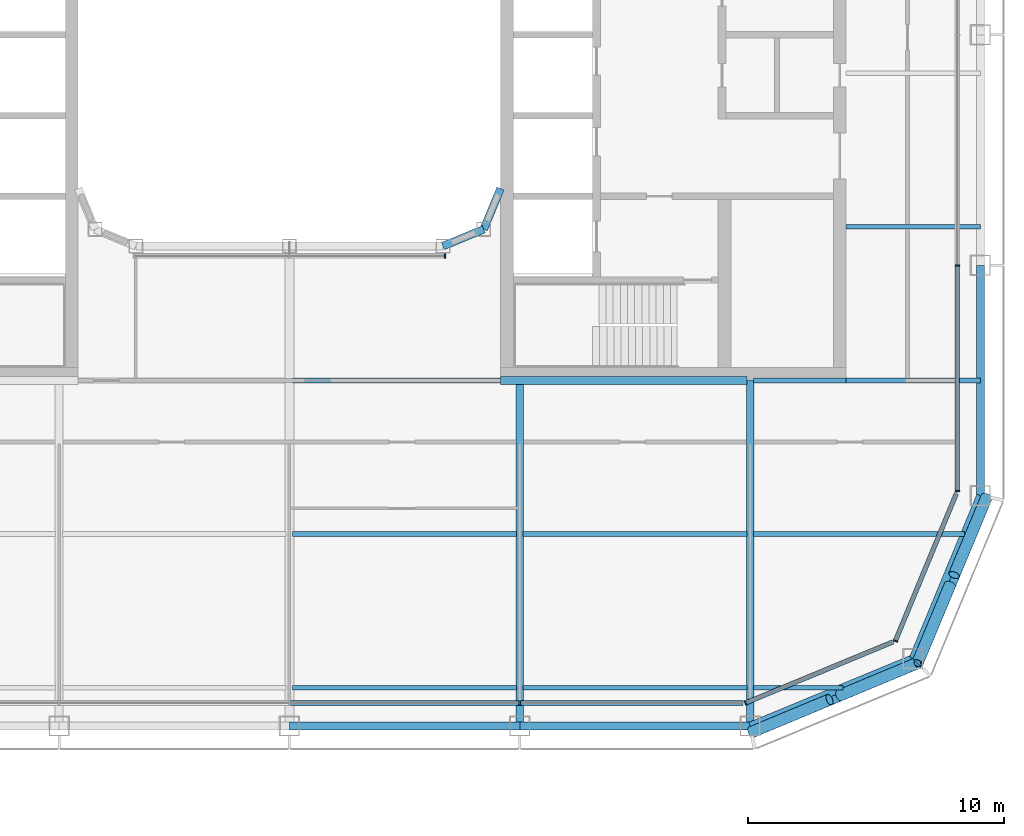
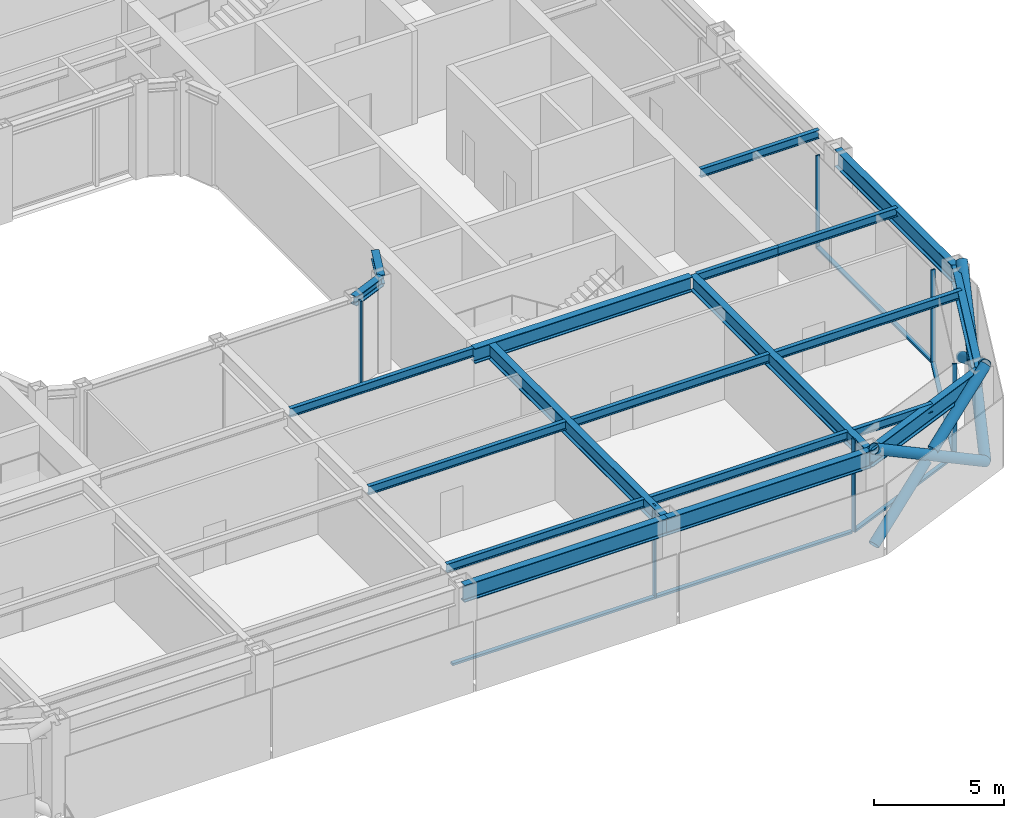
# One storey, part 4 of 23: 20 beams, 17 members, 5 elements without a shape of their own.
"""IFC4 building model written with IfcOpenShell, lengths in metres."""

from ifc_helpers import new_model, si_unit, direction, frame, origin, origin_2d, place, context, subcontext, project, spatial, rectangle, hollow_circle, i_section, extrude, material, layer, layer_set, material_profile, profile_set, type_object, element, aggregate, save


model = new_model("IFC4")

# Units and contexts
model_context = context("Model", 3, precision=1e-05, world=origin(), true_north=direction((0.0, 1.0)))
body_context = subcontext(model_context, "Body", "Model", "MODEL_VIEW")
ifc_project = project(units=[si_unit("LENGTHUNIT", "METRE"), si_unit("AREAUNIT", "SQUARE_METRE"), si_unit("VOLUMEUNIT", "CUBIC_METRE"), si_unit("PLANEANGLEUNIT", "RADIAN"), si_unit("MASSUNIT", "GRAM", prefix="KILO")], contexts=[model_context])

# Site, building, storey
site_placement = place(None, origin())
site = spatial("IfcSite", under=ifc_project, at=site_placement, CompositionType="ELEMENT")
building_placement = place(site_placement, origin())
building = spatial("IfcBuilding", under=site, at=building_placement, Name="Siwar Civic Tower", CompositionType="ELEMENT")
storey_placement = place(building_placement, frame((0.0, 0.0, 251.199951171875)))
storey = spatial("IfcBuildingStorey", under=building, at=storey_placement, Name="L54", CompositionType="ELEMENT", Elevation=251.199951171875)

# Curtain wall, member
ifc_material_1 = material(Name="Aluminium and glass", Category="aluminium")
ifc_layer_1 = layer(ifc_material_1, 0.179931640625)
ifc_layer_set_1 = layer_set([ifc_layer_1], Name="Aluminium and glass")
curtain_wall_type_1 = type_object("IfcCurtainWallType", Name="ENV-CW-C", PredefinedType="NOTDEFINED", material=ifc_layer_set_1)
curtain_wall_1_placement = place(storey_placement, origin())
curtain_wall_1 = element("IfcCurtainWall", 1, at=curtain_wall_1_placement, inside=storey, type_object=curtain_wall_type_1, Name="Curtain wall C S", PredefinedType="NOTDEFINED")
ifc_material_2 = material(Name="Aluminium 6063-T6", Category="aluminium")
ifc_material_profile_1 = material_profile(ifc_material_2, rectangle(XDim=0.179931640625, YDim=0.06005859375, at=origin_2d()), Name="AL 180x60")
ifc_profile_set_1 = profile_set([ifc_material_profile_1], Name="Aluminium 6063-T6")
member_type_1 = type_object("IfcMemberType", Name="ENV-MULLION-C", PredefinedType="MULLION", material=ifc_profile_set_1)
member_1_placement = place(storey_placement, frame((9.0, -26.10009765625, 0.0), z_axis=(0.0, 0.0, 1.0), x_axis=(0.0, 1.0, 0.0)))
member_1 = element("IfcMember", 2, at=member_1_placement, type_object=member_type_1, Name="Mullion C S 4", PredefinedType="MULLION", context=body_context, shape_type="SweptSolid", body=[
    extrude(rectangle(XDim=0.179931640625, YDim=0.06005859375, at=origin_2d()), origin(), (0.0, 0.0, 1.0), 4.35009765625),
])

ifc_material_3 = material(Name="Aluminium clad insulated panel", Category="aluminium")
ifc_layer_2 = layer(ifc_material_3, 0.179931640625)
ifc_layer_set_2 = layer_set([ifc_layer_2], Name="Aluminium clad insulated panel")
curtain_wall_type_2 = type_object("IfcCurtainWallType", Name="ENV-CW-CX", PredefinedType="NOTDEFINED", material=ifc_layer_set_2)
curtain_wall_2_placement = place(storey_placement, origin())
curtain_wall_2 = element("IfcCurtainWall", 3, at=curtain_wall_2_placement, inside=storey, type_object=curtain_wall_type_2, Name="Curtain wall C SE1", PredefinedType="NOTDEFINED")
member_2_placement = place(storey_placement, frame((17.821044921875, -26.10009765625, 0.0), z_axis=(0.0, 0.0, 1.0), x_axis=(-0.382683432365, 0.923879532511, 0.0)))
member_2 = element("IfcMember", 4, at=member_2_placement, type_object=member_type_1, Name="Mullion C SE1 1", PredefinedType="MULLION", context=body_context, shape_type="SweptSolid", body=[
    extrude(rectangle(XDim=0.179931640625, YDim=0.06005859375, at=origin_2d()), origin(), (0.0, 0.0, 1.0), 4.35009765625),
])

curtain_wall_3_placement = place(storey_placement, origin())
curtain_wall_3 = element("IfcCurtainWall", 5, at=curtain_wall_3_placement, inside=storey, type_object=curtain_wall_type_2, Name="Curtain wall C SE2", PredefinedType="NOTDEFINED")
member_3_placement = place(storey_placement, frame((23.675048828125, -23.675048828125, 0.0), z_axis=(0.0, 0.0, 1.0), x_axis=(-0.923879532511, 0.382683432365, 0.0)))
member_3 = element("IfcMember", 6, at=member_3_placement, type_object=member_type_1, Name="Mullion C SE2 1", PredefinedType="MULLION", context=body_context, shape_type="SweptSolid", body=[
    extrude(rectangle(XDim=0.179931640625, YDim=0.06005859375, at=origin_2d()), origin(), (0.0, 0.0, 1.0), 4.35009765625),
])

# Curtain wall, members
curtain_wall_4_placement = place(storey_placement, origin())
curtain_wall_4 = element("IfcCurtainWall", 7, at=curtain_wall_4_placement, inside=storey, type_object=curtain_wall_type_1, Name="Curtain wall C E", PredefinedType="NOTDEFINED")
member_4_placement = place(storey_placement, frame((26.10009765625, -17.821044921875, 0.0), z_axis=(0.0, 0.0, 1.0), x_axis=(-1.0, 0.0, 0.0)))
member_4 = element("IfcMember", 8, at=member_4_placement, type_object=member_type_1, Name="Mullion C E 1", PredefinedType="MULLION", context=body_context, shape_type="SweptSolid", body=[
    extrude(rectangle(XDim=0.179931640625, YDim=0.06005859375, at=origin_2d()), origin(), (0.0, 0.0, 1.0), 4.35009765625),
])
member_5_placement = place(storey_placement, frame((26.10009765625, -9.0, 0.0), z_axis=(0.0, 0.0, 1.0), x_axis=(-1.0, 0.0, 0.0)))
member_5 = element("IfcMember", 9, at=member_5_placement, type_object=member_type_1, Name="Mullion C E 2", PredefinedType="MULLION", context=body_context, shape_type="SweptSolid", body=[
    extrude(rectangle(XDim=0.179931640625, YDim=0.06005859375, at=origin_2d()), origin(), (0.0, 0.0, 1.0), 4.35009765625),
])

# Curtain wall, member
ifc_material_4 = material(Name="Aluminium and glass", Category="aluminium")
ifc_layer_3 = layer(ifc_material_4, 0.179931640625)
ifc_layer_set_3 = layer_set([ifc_layer_3], Name="Aluminium and glass")
curtain_wall_type_3 = type_object("IfcCurtainWallType", Name="ENV-CW-W", PredefinedType="NOTDEFINED", material=ifc_layer_set_3)
curtain_wall_5_placement = place(storey_placement, origin())
curtain_wall_5 = element("IfcCurtainWall", 10, at=curtain_wall_5_placement, inside=storey, type_object=curtain_wall_type_3, Name="Curtain wall W WS", PredefinedType="NOTDEFINED")
ifc_material_5 = material(Name="Aluminium 6063-T6", Category="aluminium")
ifc_material_profile_2 = material_profile(ifc_material_5, rectangle(XDim=0.179931640625, YDim=0.06005859375, at=origin_2d()), Name="AL 180x60")
ifc_profile_set_2 = profile_set([ifc_material_profile_2], Name="Aluminium 6063-T6")
member_type_2 = type_object("IfcMemberType", Name="ENV-MULLION-W", PredefinedType="MULLION", material=ifc_profile_set_2)
member_6_placement = place(storey_placement, frame((6.07666015625, -8.635009765625, 0.0), z_axis=(0.0, 0.0, 1.0), x_axis=(0.0, 1.0, 0.0)))
member_6 = element("IfcMember", 11, at=member_6_placement, type_object=member_type_2, Name="Mullion W WS 3", PredefinedType="MULLION", context=body_context, shape_type="SweptSolid", body=[
    extrude(rectangle(XDim=0.179931640625, YDim=0.06005859375, at=origin_2d()), origin(), (0.0, 0.0, 1.0), 4.35009765625),
])
aggregate(curtain_wall_5, [member_6])

# Member
ifc_material_6 = material(Name="Aluminium 6063-T6", Category="aluminium")
ifc_material_profile_3 = material_profile(ifc_material_6, rectangle(XDim=0.179931640625, YDim=0.10009765625, at=origin_2d()), Name="AL 180x100")
ifc_profile_set_3 = profile_set([ifc_material_profile_3], Name="Aluminium 6063-T6")
member_type_3 = type_object("IfcMemberType", Name="ENV-TRANSOM-C", PredefinedType="USERDEFINED", material=ifc_profile_set_3)
member_7_placement = place(storey_placement, frame((0.030029296875, -26.10009765625, 0.050048828125), z_axis=(1.0, 0.0, 0.0), x_axis=(0.0, 1.0, 0.0)))
member_7 = element("IfcMember", 12, at=member_7_placement, type_object=member_type_3, Name="Transom C S 3", ObjectType="TRANSOM", PredefinedType="USERDEFINED", context=body_context, shape_type="SweptSolid", body=[
    extrude(rectangle(XDim=0.179931640625, YDim=0.10009765625, at=origin_2d()), origin(), (0.0, 0.0, 1.0), 8.93994140625),
])

member_8_placement = place(storey_placement, frame((9.030029296875, -26.10009765625, 0.050048828125), z_axis=(1.0, 0.0, 0.0), x_axis=(0.0, 1.0, 0.0)))
member_8 = element("IfcMember", 13, at=member_8_placement, type_object=member_type_3, Name="Transom C S 4", ObjectType="TRANSOM", PredefinedType="USERDEFINED", context=body_context, shape_type="SweptSolid", body=[
    extrude(rectangle(XDim=0.179931640625, YDim=0.10009765625, at=origin_2d()), origin(), (0.0, 0.0, 1.0), 8.68603515625),
])

aggregate(curtain_wall_1, [member_1, member_7, member_8])

member_9_placement = place(storey_placement, frame((17.8486328125, -26.088623046875, 0.050048828125), z_axis=(0.923882011223, 0.38267744817, 0.0), x_axis=(-0.38267744817, 0.923882011223, 0.0)))
member_9 = element("IfcMember", 14, at=member_9_placement, type_object=member_type_3, Name="Transom C SE1 1", ObjectType="TRANSOM", PredefinedType="USERDEFINED", context=body_context, shape_type="SweptSolid", body=[
    extrude(rectangle(XDim=0.179931640625, YDim=0.10009765625, at=origin_2d()), origin(), (0.0, 0.0, 1.0), 6.201904296875),
])

aggregate(curtain_wall_2, [member_2, member_9])

member_10_placement = place(storey_placement, frame((23.6865234375, -23.6474609375, 0.050048828125), z_axis=(0.382691366456, 0.923876246063, 0.0), x_axis=(-0.923876246063, 0.382691366456, 0.0)))
member_10 = element("IfcMember", 15, at=member_10_placement, type_object=member_type_3, Name="Transom C SE2 1", ObjectType="TRANSOM", PredefinedType="USERDEFINED", context=body_context, shape_type="SweptSolid", body=[
    extrude(rectangle(XDim=0.179931640625, YDim=0.10009765625, at=origin_2d()), origin(), (0.0, 0.0, 1.0), 6.20166015625),
])

aggregate(curtain_wall_3, [member_3, member_10])

member_11_placement = place(storey_placement, frame((26.10009765625, -17.791015625, 0.050048828125), z_axis=(0.0, 1.0, 0.0), x_axis=(-1.0, 0.0, 0.0)))
member_11 = element("IfcMember", 16, at=member_11_placement, type_object=member_type_3, Name="Transom C E 1", ObjectType="TRANSOM", PredefinedType="USERDEFINED", context=body_context, shape_type="SweptSolid", body=[
    extrude(rectangle(XDim=0.179931640625, YDim=0.10009765625, at=origin_2d()), origin(), (0.0, 0.0, 1.0), 8.760986328125),
])

aggregate(curtain_wall_4, [member_4, member_5, member_11])

# Members
ifc_material_7 = material(Name="Steel S355", Category="steel")
ifc_material_profile_4 = material_profile(ifc_material_7, hollow_circle(Radius=0.228515625, WallThickness=0.02001953125, at=origin_2d()), Name="CHS457x20")
ifc_profile_set_4 = profile_set([ifc_material_profile_4], Name="Steel S355")
member_type_4 = type_object("IfcMemberType", Name="STR-BR-CHS457x20", PredefinedType="BRACE", material=ifc_profile_set_4)
member_12_placement = place(storey_placement, frame((24.540771484375, -24.540771484375, 0.0), z_axis=(0.323905527954, 0.777554562952, 0.538975055633), x_axis=(-0.923108759191, 0.384538969033, 0.0)))
element("IfcMember", 17, at=member_12_placement, inside=storey, type_object=member_type_4, Name="L54/brc/CSE1-14-0-1", PredefinedType="BRACE", context=body_context, shape_type="SweptSolid", body=[
    extrude(hollow_circle(Radius=0.228515625, WallThickness=0.02001953125, at=origin_2d()), origin(), (0.0, 0.0, 1.0), 8.34912109375),
])
for number, where, z_axis, x_axis, name in (
    (18, (27.2451171875, -18.048828125, 0.0), (-0.323884455881, -0.777546448489, 0.538999424564), (0.92311621485, -0.38452107079, 0.0), "L54/brc/CSE1-14-0-2"),
    (19, (25.81298828125, -21.486572265625, 2.383056640625), (-0.323895306243, -0.777572496853, 0.538955325357), (0.92311621485, -0.38452107079, 0.0), "L54/brc/CSE1-14-0-3"),
):
    element("IfcMember", number, at=place(storey_placement, frame(where, z_axis=z_axis, x_axis=x_axis)), inside=storey, type_object=member_type_4, Name=name, PredefinedType="BRACE", context=body_context, shape_type="SweptSolid", body=[
        extrude(hollow_circle(Radius=0.228515625, WallThickness=0.02001953125, at=origin_2d()), origin(), (0.0, 0.0, 1.0), 3.927978515625),
    ])
member_13_placement = place(storey_placement, frame((24.540771484375, -24.540771484375, 0.0), z_axis=(-0.777554562952, -0.323905527954, 0.538975055633), x_axis=(0.384538969033, -0.923108759191, 0.0)))
element("IfcMember", 20, at=member_13_placement, inside=storey, type_object=member_type_4, Name="L54/brc/CSE1-14-0-0", PredefinedType="BRACE", context=body_context, shape_type="SweptSolid", body=[
    extrude(hollow_circle(Radius=0.228515625, WallThickness=0.02001953125, at=origin_2d()), origin(), (0.0, 0.0, 1.0), 8.34912109375),
])
for number, where, z_axis, x_axis, name in (
    (21, (18.048828125, -27.2451171875, 0.0), (0.777546448489, 0.323884455881, 0.538999424564), (-0.38452107079, 0.92311621485, 0.0), "L54/brc/CSE1-14-0-4"),
    (22, (21.486572265625, -25.81298828125, 2.383056640625), (0.777572496853, 0.323895306243, 0.538955325357), (-0.38452107079, 0.92311621485, 0.0), "L54/brc/CSE1-14-0-5"),
):
    element("IfcMember", number, at=place(storey_placement, frame(where, z_axis=z_axis, x_axis=x_axis)), inside=storey, type_object=member_type_4, Name=name, PredefinedType="BRACE", context=body_context, shape_type="SweptSolid", body=[
        extrude(hollow_circle(Radius=0.228515625, WallThickness=0.02001953125, at=origin_2d()), origin(), (0.0, 0.0, 1.0), 3.927978515625),
    ])

# Beams
ifc_material_8 = material(Name="Steel S355", Category="steel")
ifc_material_profile_5 = material_profile(ifc_material_8, i_section(OverallWidth=0.179931640625, OverallDepth=0.39990234375, WebThickness=0.008544921875, FlangeThickness=0.013427734375, FilletRadius=0.02099609375, at=origin_2d()), Name="IPE400")
ifc_profile_set_5 = profile_set([ifc_material_profile_5], Name="Steel S355")
beam_type_1 = type_object("IfcBeamType", Name="STR-FB-IPE400", PredefinedType="JOIST", material=ifc_profile_set_5)
for number, where, z_axis, x_axis, name in (
    (23, (0.1298828125, -25.5, 4.150146484375), (1.0, 0.0, 0.0), (0.0, 1.0, 0.0), "L54/bm/F004"),
    (24, (9.1298828125, -25.5, 4.150146484375), (1.0, 0.0, 0.0), (0.0, 1.0, 0.0), "L54/bm/F005"),
):
    element("IfcBeam", number, at=place(storey_placement, frame(where, z_axis=z_axis, x_axis=x_axis)), inside=storey, type_object=beam_type_1, Name=name, PredefinedType="JOIST", context=body_context, shape_type="SweptSolid", body=[
        extrude(i_section(OverallWidth=0.179931640625, OverallDepth=0.39990234375, WebThickness=0.008544921875, FlangeThickness=0.013427734375, FilletRadius=0.02099609375, at=origin_2d()), origin(), (0.0, 0.0, 1.0), 8.740234375),
    ])
beam_1_placement = place(storey_placement, frame((18.1298828125, -25.5, 4.150146484375), z_axis=(1.0, 0.0, 0.0), x_axis=(0.0, 1.0, 0.0)))
element("IfcBeam", 25, at=beam_1_placement, inside=storey, type_object=beam_type_1, Name="L54/bm/F006", PredefinedType="JOIST", context=body_context, shape_type="SweptSolid", body=[
    extrude(i_section(OverallWidth=0.179931640625, OverallDepth=0.39990234375, WebThickness=0.008544921875, FlangeThickness=0.013427734375, FilletRadius=0.02099609375, at=origin_2d()), origin(), (0.0, 0.0, 1.0), 3.491455078125),
])
for number, where, z_axis, x_axis, name in (
    (26, (0.1298828125, -19.5, 4.150146484375), (1.0, 0.0, 0.0), (0.0, 1.0, 0.0), "L54/bm/F010"),
    (27, (9.1298828125, -19.5, 4.150146484375), (1.0, 0.0, 0.0), (0.0, 1.0, 0.0), "L54/bm/F011"),
):
    element("IfcBeam", number, at=place(storey_placement, frame(where, z_axis=z_axis, x_axis=x_axis)), inside=storey, type_object=beam_type_1, Name=name, PredefinedType="JOIST", context=body_context, shape_type="SweptSolid", body=[
        extrude(i_section(OverallWidth=0.179931640625, OverallDepth=0.39990234375, WebThickness=0.008544921875, FlangeThickness=0.013427734375, FilletRadius=0.02099609375, at=origin_2d()), origin(), (0.0, 0.0, 1.0), 8.740234375),
    ])
beam_2_placement = place(storey_placement, frame((18.1298828125, -19.5, 4.150146484375), z_axis=(1.0, 0.0, 0.0), x_axis=(0.0, 1.0, 0.0)))
element("IfcBeam", 28, at=beam_2_placement, inside=storey, type_object=beam_type_1, Name="L54/bm/F012", PredefinedType="JOIST", context=body_context, shape_type="SweptSolid", body=[
    extrude(i_section(OverallWidth=0.179931640625, OverallDepth=0.39990234375, WebThickness=0.008544921875, FlangeThickness=0.013427734375, FilletRadius=0.02099609375, at=origin_2d()), origin(), (0.0, 0.0, 1.0), 8.248779296875),
])
beam_3_placement = place(storey_placement, frame((0.1298828125, -13.5, 4.150146484375), z_axis=(1.0, 0.0, 0.0), x_axis=(0.0, 1.0, 0.0)))
element("IfcBeam", 29, at=beam_3_placement, inside=storey, type_object=beam_type_1, Name="L54/bm/F017", PredefinedType="JOIST", context=body_context, shape_type="SweptSolid", body=[
    extrude(i_section(OverallWidth=0.179931640625, OverallDepth=0.39990234375, WebThickness=0.008544921875, FlangeThickness=0.013427734375, FilletRadius=0.02099609375, at=origin_2d()), origin(), (0.0, 0.0, 1.0), 8.1201171875),
])
beam_4_placement = place(storey_placement, frame((18.1298828125, -13.5, 4.150146484375), z_axis=(1.0, 0.0, 0.0), x_axis=(0.0, 1.0, 0.0)))
element("IfcBeam", 30, at=beam_4_placement, inside=storey, type_object=beam_type_1, Name="L54/bm/F019", PredefinedType="JOIST", context=body_context, shape_type="SweptSolid", body=[
    extrude(i_section(OverallWidth=0.179931640625, OverallDepth=0.39990234375, WebThickness=0.008544921875, FlangeThickness=0.013427734375, FilletRadius=0.02099609375, at=origin_2d()), origin(), (0.0, 0.0, 1.0), 3.6201171875),
])
for number, where, z_axis, x_axis, name in (
    (31, (21.75, -13.5, 4.150146484375), (1.0, 0.0, 0.0), (0.0, 1.0, 0.0), "L54/bm/F020"),
    (32, (21.75, -7.5, 4.150146484375), (1.0, 0.0, 0.0), (0.0, 1.0, 0.0), "L54/bm/F022"),
):
    element("IfcBeam", number, at=place(storey_placement, frame(where, z_axis=z_axis, x_axis=x_axis)), inside=storey, type_object=beam_type_1, Name=name, PredefinedType="JOIST", context=body_context, shape_type="SweptSolid", body=[
        extrude(i_section(OverallWidth=0.179931640625, OverallDepth=0.39990234375, WebThickness=0.008544921875, FlangeThickness=0.013427734375, FilletRadius=0.02099609375, at=origin_2d()), origin(), (0.0, 0.0, 1.0), 5.25),
    ])
ifc_material_9 = material(Name="Steel S355", Category="steel")
ifc_material_profile_6 = material_profile(ifc_material_9, i_section(OverallWidth=0.300048828125, OverallDepth=0.699951171875, WebThickness=0.01708984375, FlangeThickness=0.031982421875, FilletRadius=0.027099609375, at=origin_2d()), Name="HEB700")
ifc_profile_set_6 = profile_set([ifc_material_profile_6], Name="Steel S355")
beam_type_2 = type_object("IfcBeamType", Name="STR-PG-HEB700", PredefinedType="BEAM", material=ifc_profile_set_6)
for number, where, z_axis, x_axis, name in (
    (33, (9.0, -27.0, 4.0), (0.0, 1.0, 0.0), (-1.0, 0.0, 0.0), "L54/bm/G07"),
    (34, (18.0, -27.0, 4.0), (0.0, 1.0, 0.0), (-1.0, 0.0, 0.0), "L54/bm/G09"),
):
    element("IfcBeam", number, at=place(storey_placement, frame(where, z_axis=z_axis, x_axis=x_axis)), inside=storey, type_object=beam_type_2, Name=name, PredefinedType="BEAM", context=body_context, shape_type="SweptSolid", body=[
        extrude(i_section(OverallWidth=0.300048828125, OverallDepth=0.699951171875, WebThickness=0.01708984375, FlangeThickness=0.031982421875, FilletRadius=0.027099609375, at=origin_2d()), origin(), (0.0, 0.0, 1.0), 13.5),
    ])
beam_5_placement = place(storey_placement, frame((8.25, -13.5, 4.0), z_axis=(1.0, 0.0, 0.0), x_axis=(0.0, 1.0, 0.0)))
element("IfcBeam", 35, at=beam_5_placement, inside=storey, type_object=beam_type_2, Name="L54/bm/F018", PredefinedType="BEAM", context=body_context, shape_type="SweptSolid", body=[
    extrude(i_section(OverallWidth=0.300048828125, OverallDepth=0.699951171875, WebThickness=0.01708984375, FlangeThickness=0.031982421875, FilletRadius=0.027099609375, at=origin_2d()), origin(), (0.0, 0.0, 1.0), 9.6201171875),
])
ifc_material_10 = material(Name="Steel S355", Category="steel")
ifc_material_profile_7 = material_profile(ifc_material_10, i_section(OverallWidth=0.306884765625, OverallDepth=0.431884765625, WebThickness=0.02099609375, FlangeThickness=0.0400390625, FilletRadius=0.027099609375, at=origin_2d()), Name="HEM400")
ifc_profile_set_7 = profile_set([ifc_material_profile_7], Name="Steel S355")
beam_type_3 = type_object("IfcBeamType", Name="STR-RB-HEM400", PredefinedType="BEAM", material=ifc_profile_set_7)
for number, where, z_axis, x_axis, name in (
    (36, (6.0, -8.25, 4.134033203125), (0.923901072997, 0.382631424892, 0.0), (-0.382631424892, 0.923901072997, 0.0), "L54/bm/RS3"),
    (37, (7.591064453125, -7.591064453125, 4.134033203125), (0.382631424892, 0.923901072997, 0.0), (-0.923901072997, 0.382631424892, 0.0), "L54/bm/RSEE"),
):
    element("IfcBeam", number, at=place(storey_placement, frame(where, z_axis=z_axis, x_axis=x_axis)), inside=storey, type_object=beam_type_3, Name=name, PredefinedType="BEAM", context=body_context, shape_type="SweptSolid", body=[
        extrude(i_section(OverallWidth=0.306884765625, OverallDepth=0.431884765625, WebThickness=0.02099609375, FlangeThickness=0.0400390625, FilletRadius=0.027099609375, at=origin_2d()), origin(), (0.0, 0.0, 1.0), 1.72216796875),
    ])
ifc_material_11 = material(Name="Steel S355", Category="steel")
ifc_material_profile_8 = material_profile(ifc_material_11, i_section(OverallWidth=0.300048828125, OverallDepth=0.800048828125, WebThickness=0.017578125, FlangeThickness=0.032958984375, FilletRadius=0.030029296875, at=origin_2d()), Name="HEB800")
ifc_profile_set_8 = profile_set([ifc_material_profile_8], Name="Steel S355")
beam_type_4 = type_object("IfcBeamType", Name="STR-SB-HEB800", PredefinedType="BEAM", material=ifc_profile_set_8)
for number, where, z_axis, x_axis, name in (
    (38, (0.0, -27.0, 3.949951171875), (1.0, 0.0, 0.0), (0.0, 1.0, 0.0), "L54/bm/SS-2"),
    (39, (9.0, -27.0, 3.949951171875), (1.0, 0.0, 0.0), (0.0, 1.0, 0.0), "L54/bm/SS-3"),
):
    element("IfcBeam", number, at=place(storey_placement, frame(where, z_axis=z_axis, x_axis=x_axis)), inside=storey, type_object=beam_type_4, Name=name, PredefinedType="BEAM", context=body_context, shape_type="SweptSolid", body=[
        extrude(i_section(OverallWidth=0.300048828125, OverallDepth=0.800048828125, WebThickness=0.017578125, FlangeThickness=0.032958984375, FilletRadius=0.030029296875, at=origin_2d()), origin(), (0.0, 0.0, 1.0), 9.0),
    ])
for number, where, z_axis, x_axis, name in (
    (40, (18.0, -27.0, 3.949951171875), (0.923883353507, 0.382674207535, 0.0), (-0.382674207535, 0.923883353507, 0.0), "L54/bm/SSE1-0"),
    (41, (24.364013671875, -24.364013671875, 3.949951171875), (0.382674207535, 0.923883353507, 0.0), (-0.923883353507, 0.382674207535, 0.0), "L54/bm/SSE2-0"),
):
    element("IfcBeam", number, at=place(storey_placement, frame(where, z_axis=z_axis, x_axis=x_axis)), inside=storey, type_object=beam_type_4, Name=name, PredefinedType="BEAM", context=body_context, shape_type="SweptSolid", body=[
        extrude(i_section(OverallWidth=0.300048828125, OverallDepth=0.800048828125, WebThickness=0.017578125, FlangeThickness=0.032958984375, FilletRadius=0.030029296875, at=origin_2d()), origin(), (0.0, 0.0, 1.0), 6.888427734375),
    ])
beam_6_placement = place(storey_placement, frame((27.0, -18.0, 3.949951171875), z_axis=(0.0, 1.0, 0.0), x_axis=(-1.0, 0.0, 0.0)))
element("IfcBeam", 42, at=beam_6_placement, inside=storey, type_object=beam_type_4, Name="L54/bm/SE-0", PredefinedType="BEAM", context=body_context, shape_type="SweptSolid", body=[
    extrude(i_section(OverallWidth=0.300048828125, OverallDepth=0.800048828125, WebThickness=0.017578125, FlangeThickness=0.032958984375, FilletRadius=0.030029296875, at=origin_2d()), origin(), (0.0, 0.0, 1.0), 9.0),
])

save(model, "model.ifc")
